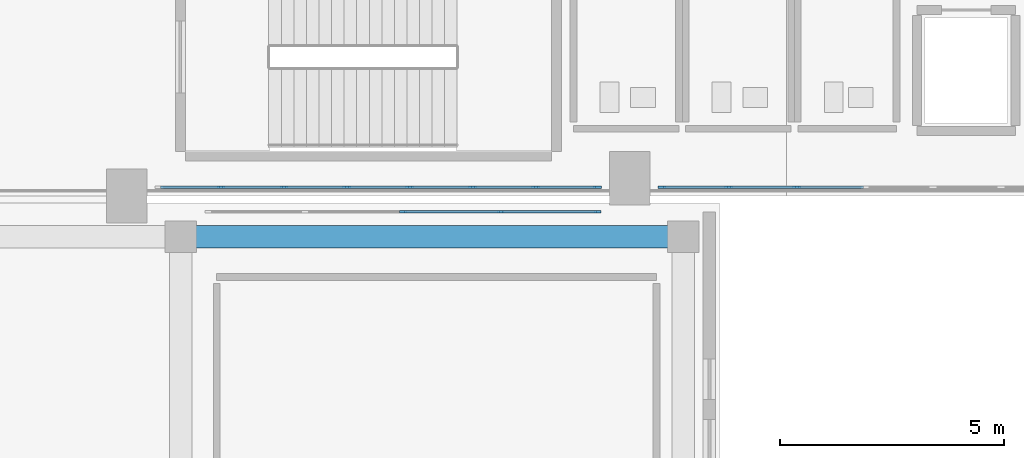
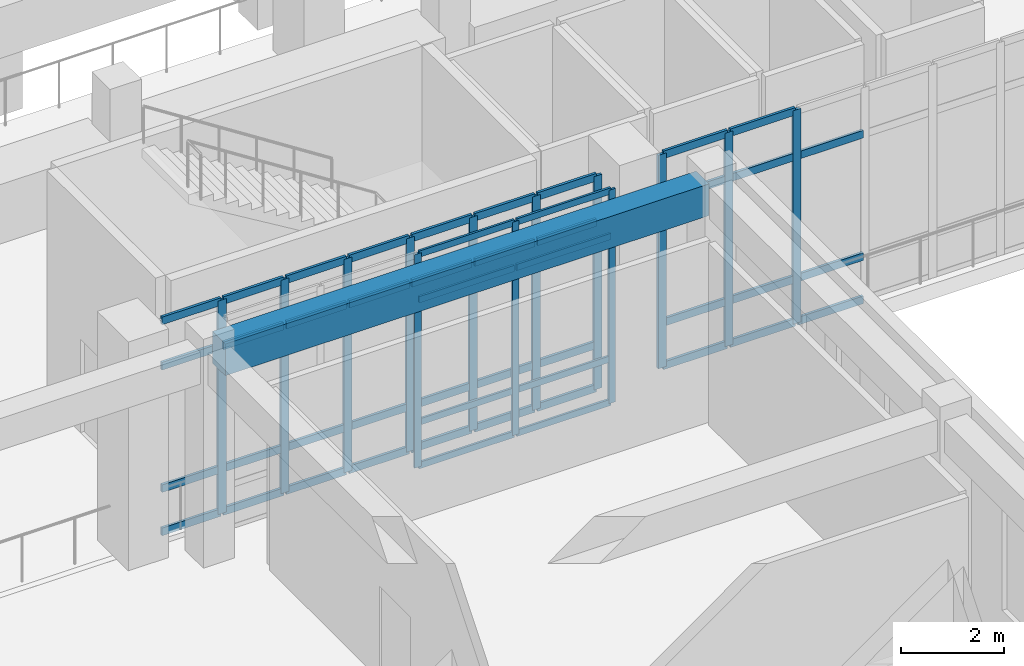
# One storey, part 24 of 159: 60 members, 1 beam, 3 elements without a shape of their own.
"""IFC4 building model written with IfcOpenShell, lengths in metres."""

from ifc_helpers import new_model, si_unit, derived_unit, direction, frame, origin, origin_2d, place, context, subcontext, project, spatial, rectangle, extrude, material, layer, layer_set, material_profile, profile_set, type_object, element, aggregate, save


model = new_model("IFC4")

# Units and contexts
model_context = context("Model", 3, precision=1e-05, world=origin(), true_north=direction((0.0, 1.0)))
body_context = subcontext(model_context, "Body", "Model", "MODEL_VIEW")
ifc_project = project(units=[si_unit("LENGTHUNIT", "METRE"), si_unit("AREAUNIT", "SQUARE_METRE"), si_unit("VOLUMEUNIT", "CUBIC_METRE"), si_unit("PLANEANGLEUNIT", "RADIAN"), si_unit("MASSUNIT", "GRAM", prefix="KILO"), derived_unit("THERMALTRANSMITTANCEUNIT", [(si_unit("MASSUNIT", "GRAM", prefix="KILO"), 1), (si_unit("TIMEUNIT", "SECOND"), -3), (si_unit("THERMODYNAMICTEMPERATUREUNIT", "KELVIN"), -1)])], contexts=[model_context])

# Site, building, storey
site_placement = place(None, origin())
site = spatial("IfcSite", under=ifc_project, at=site_placement, CompositionType="ELEMENT")
building_placement = place(site_placement, origin())
building = spatial("IfcBuilding", under=site, at=building_placement, Name="Valcora Ridge Arena", CompositionType="ELEMENT")
storey_placement = place(building_placement, frame((0.0, 0.0, 6.0)))
storey = spatial("IfcBuildingStorey", under=building, at=storey_placement, Name="L01", CompositionType="ELEMENT", Elevation=6.0)

# Beam
ifc_material_1 = material(Name="Concrete C40/50", Category="concrete")
ifc_material_profile_1 = material_profile(ifc_material_1, rectangle(XDim=0.5, YDim=0.75, at=origin_2d()), Name="RC 500x750")
ifc_profile_set_1 = profile_set([ifc_material_profile_1], Name="Concrete C40/50")
beam_type = type_object("IfcBeamType", Name="TY-BEAM-B-RC500-X", PredefinedType="BEAM", material=ifc_profile_set_1)
beam_placement = place(storey_placement, frame((48.199951171875, 19.10009765625, 4.6650390625), z_axis=(1.0, 0.0, 0.0), x_axis=(0.0, 1.0, 0.0)))
element("IfcBeam", 1, at=beam_placement, inside=storey, type_object=beam_type, Name="B-RC500-X BEM-B-RC500-X-0040", PredefinedType="BEAM", context=body_context, shape_type="SweptSolid", body=[
    extrude(rectangle(XDim=0.5, YDim=0.75, at=origin_2d()), origin(), (0.0, 0.0, 1.0), 10.800048828125),
])

# Curtain wall, members
ifc_material_2 = material(Name="Anodised dark bronze architectural aluminium 6063-T6", Category="aluminium")
ifc_layer_1 = layer(ifc_material_2, 0.14990234375, Name="Anodised dark bronze architectural aluminium 6063-T6")
ifc_layer_set_1 = layer_set([ifc_layer_1], Name="Anodised dark bronze architectural aluminium 6063-T6")
curtain_wall_type_1 = type_object("IfcCurtainWallType", Name="TY-CURTAINWALL-CW-V4-CLUB-087X50", PredefinedType="NOTDEFINED", material=ifc_layer_set_1)
curtain_wall_1_placement = place(storey_placement, origin())
curtain_wall_1 = element("IfcCurtainWall", 2, at=curtain_wall_1_placement, inside=storey, type_object=curtain_wall_type_1, Name="CW-V4-CLUB-087X50 CW-0221", PredefinedType="NOTDEFINED")
ifc_material_profile_2 = material_profile(ifc_material_2, rectangle(XDim=0.050048828125, YDim=0.14990234375, at=origin_2d()), Name="ALU MULLION 50x150")
ifc_profile_set_2 = profile_set([ifc_material_profile_2], Name="Anodised dark bronze architectural aluminium 6063-T6")
member_type_1 = type_object("IfcMemberType", Name="TY-MEM-CWM-50x150", PredefinedType="MULLION", material=ifc_profile_set_2)
member_1_placement = place(storey_placement, frame((52.949951171875, 19.64990234375, 0.0), z_axis=(0.0, 0.0, 1.0), x_axis=(0.0, 1.0, 0.0)))
member_1 = element("IfcMember", 3, at=member_1_placement, type_object=member_type_1, Name="CW-0221/CWM-50x150/M02", PredefinedType="MULLION", context=body_context, shape_type="SweptSolid", body=[
    extrude(rectangle(XDim=0.050048828125, YDim=0.14990234375, at=origin_2d()), origin(), (0.0, 0.0, 1.0), 5.0400390625),
])
member_2_placement = place(storey_placement, frame((55.1298828125, 19.64990234375, 0.0), z_axis=(0.0, 0.0, 1.0), x_axis=(0.0, 1.0, 0.0)))
member_2 = element("IfcMember", 4, at=member_2_placement, type_object=member_type_1, Name="CW-0221/CWM-50x150/M03", PredefinedType="MULLION", context=body_context, shape_type="SweptSolid", body=[
    extrude(rectangle(XDim=0.050048828125, YDim=0.14990234375, at=origin_2d()), origin(), (0.0, 0.0, 1.0), 5.0400390625),
])
member_3_placement = place(storey_placement, frame((57.284912109375, 19.64990234375, 0.0), z_axis=(0.0, 0.0, 1.0), x_axis=(0.0, 1.0, 0.0)))
member_3 = element("IfcMember", 5, at=member_3_placement, type_object=member_type_1, Name="CW-0221/CWM-50x150/M04", PredefinedType="MULLION", context=body_context, shape_type="SweptSolid", body=[
    extrude(rectangle(XDim=0.050048828125, YDim=0.14990234375, at=origin_2d()), origin(), (0.0, 0.0, 1.0), 5.0400390625),
])

ifc_layer_2 = layer(ifc_material_2, 0.179931640625, Name="Anodised dark bronze architectural aluminium 6063-T6")
ifc_layer_set_2 = layer_set([ifc_layer_2], Name="Anodised dark bronze architectural aluminium 6063-T6")
curtain_wall_type_2 = type_object("IfcCurtainWallType", Name="TY-CURTAINWALL-CW-V1-GOTH-098X50", PredefinedType="NOTDEFINED", material=ifc_layer_set_2)
curtain_wall_2_placement = place(storey_placement, origin())
curtain_wall_2 = element("IfcCurtainWall", 6, at=curtain_wall_2_placement, inside=storey, type_object=curtain_wall_type_2, Name="CW-V1-GOTH-098X50 CW-0098", PredefinedType="NOTDEFINED")
ifc_material_profile_3 = material_profile(ifc_material_2, rectangle(XDim=0.06005859375, YDim=0.179931640625, at=origin_2d()), Name="ALU MULLION 60x180")
ifc_profile_set_3 = profile_set([ifc_material_profile_3], Name="Anodised dark bronze architectural aluminium 6063-T6")
member_type_2 = type_object("IfcMemberType", Name="TY-MEM-CWM-60x180", PredefinedType="MULLION", material=ifc_profile_set_3)
member_4_placement = place(storey_placement, frame((48.892822265625, 20.199951171875, 0.0), z_axis=(0.0, 0.0, 1.0), x_axis=(0.0, 1.0, 0.0)))
member_4 = element("IfcMember", 7, at=member_4_placement, type_object=member_type_2, Name="CW-0098/CWM-60x180/M01", PredefinedType="MULLION", context=body_context, shape_type="SweptSolid", body=[
    extrude(rectangle(XDim=0.06005859375, YDim=0.179931640625, at=origin_2d()), origin(), (0.0, 0.0, 1.0), 5.0400390625),
])
member_5_placement = place(storey_placement, frame((50.295654296875, 20.199951171875, 0.0), z_axis=(0.0, 0.0, 1.0), x_axis=(0.0, 1.0, 0.0)))
member_5 = element("IfcMember", 8, at=member_5_placement, type_object=member_type_2, Name="CW-0098/CWM-60x180/M02", PredefinedType="MULLION", context=body_context, shape_type="SweptSolid", body=[
    extrude(rectangle(XDim=0.06005859375, YDim=0.179931640625, at=origin_2d()), origin(), (0.0, 0.0, 1.0), 5.0400390625),
])
member_6_placement = place(storey_placement, frame((51.698486328125, 20.199951171875, 0.0), z_axis=(0.0, 0.0, 1.0), x_axis=(0.0, 1.0, 0.0)))
member_6 = element("IfcMember", 9, at=member_6_placement, type_object=member_type_2, Name="CW-0098/CWM-60x180/M03", PredefinedType="MULLION", context=body_context, shape_type="SweptSolid", body=[
    extrude(rectangle(XDim=0.06005859375, YDim=0.179931640625, at=origin_2d()), origin(), (0.0, 0.0, 1.0), 5.0400390625),
])
member_7_placement = place(storey_placement, frame((53.101318359375, 20.199951171875, 0.0), z_axis=(0.0, 0.0, 1.0), x_axis=(0.0, 1.0, 0.0)))
member_7 = element("IfcMember", 10, at=member_7_placement, type_object=member_type_2, Name="CW-0098/CWM-60x180/M04", PredefinedType="MULLION", context=body_context, shape_type="SweptSolid", body=[
    extrude(rectangle(XDim=0.06005859375, YDim=0.179931640625, at=origin_2d()), origin(), (0.0, 0.0, 1.0), 5.0400390625),
])
member_8_placement = place(storey_placement, frame((54.50439453125, 20.199951171875, 0.0), z_axis=(0.0, 0.0, 1.0), x_axis=(0.0, 1.0, 0.0)))
member_8 = element("IfcMember", 11, at=member_8_placement, type_object=member_type_2, Name="CW-0098/CWM-60x180/M05", PredefinedType="MULLION", context=body_context, shape_type="SweptSolid", body=[
    extrude(rectangle(XDim=0.06005859375, YDim=0.179931640625, at=origin_2d()), origin(), (0.0, 0.0, 1.0), 5.0400390625),
])
member_9_placement = place(storey_placement, frame((55.906982421875, 20.199951171875, 0.0), z_axis=(0.0, 0.0, 1.0), x_axis=(0.0, 1.0, 0.0)))
member_9 = element("IfcMember", 12, at=member_9_placement, type_object=member_type_2, Name="CW-0098/CWM-60x180/M06", PredefinedType="MULLION", context=body_context, shape_type="SweptSolid", body=[
    extrude(rectangle(XDim=0.06005859375, YDim=0.179931640625, at=origin_2d()), origin(), (0.0, 0.0, 1.0), 5.0400390625),
])
member_10_placement = place(storey_placement, frame((57.280029296875, 20.199951171875, 0.0), z_axis=(0.0, 0.0, 1.0), x_axis=(0.0, 1.0, 0.0)))
member_10 = element("IfcMember", 13, at=member_10_placement, type_object=member_type_2, Name="CW-0098/CWM-60x180/M07", PredefinedType="MULLION", context=body_context, shape_type="SweptSolid", body=[
    extrude(rectangle(XDim=0.06005859375, YDim=0.179931640625, at=origin_2d()), origin(), (0.0, 0.0, 1.0), 5.0400390625),
])

ifc_layer_3 = layer(ifc_material_2, 0.179931640625, Name="Anodised dark bronze architectural aluminium 6063-T6")
ifc_layer_set_3 = layer_set([ifc_layer_3], Name="Anodised dark bronze architectural aluminium 6063-T6")
curtain_wall_type_3 = type_object("IfcCurtainWallType", Name="TY-CURTAINWALL-CW-V1-GOTH-106X50", PredefinedType="NOTDEFINED", material=ifc_layer_set_3)
curtain_wall_3_placement = place(storey_placement, origin())
curtain_wall_3 = element("IfcCurtainWall", 14, at=curtain_wall_3_placement, inside=storey, type_object=curtain_wall_type_3, Name="CW-V1-GOTH-106X50 CW-0099", PredefinedType="NOTDEFINED")
member_11_placement = place(storey_placement, frame((58.719970703125, 20.199951171875, 0.0), z_axis=(0.0, 0.0, 1.0), x_axis=(0.0, 1.0, 0.0)))
member_11 = element("IfcMember", 15, at=member_11_placement, type_object=member_type_2, Name="CW-0099/CWM-60x180/M00", PredefinedType="MULLION", context=body_context, shape_type="SweptSolid", body=[
    extrude(rectangle(XDim=0.06005859375, YDim=0.179931640625, at=origin_2d()), origin(), (0.0, 0.0, 1.0), 5.0400390625),
])
member_12_placement = place(storey_placement, frame((60.20703125, 20.199951171875, 0.0), z_axis=(0.0, 0.0, 1.0), x_axis=(0.0, 1.0, 0.0)))
member_12 = element("IfcMember", 16, at=member_12_placement, type_object=member_type_2, Name="CW-0099/CWM-60x180/M01", PredefinedType="MULLION", context=body_context, shape_type="SweptSolid", body=[
    extrude(rectangle(XDim=0.06005859375, YDim=0.179931640625, at=origin_2d()), origin(), (0.0, 0.0, 1.0), 5.0400390625),
])
member_13_placement = place(storey_placement, frame((61.724365234375, 20.199951171875, 0.0), z_axis=(0.0, 0.0, 1.0), x_axis=(0.0, 1.0, 0.0)))
member_13 = element("IfcMember", 17, at=member_13_placement, type_object=member_type_2, Name="CW-0099/CWM-60x180/M02", PredefinedType="MULLION", context=body_context, shape_type="SweptSolid", body=[
    extrude(rectangle(XDim=0.06005859375, YDim=0.179931640625, at=origin_2d()), origin(), (0.0, 0.0, 1.0), 5.0400390625),
])

# Member
ifc_material_profile_4 = material_profile(ifc_material_2, rectangle(XDim=0.050048828125, YDim=0.14990234375, at=origin_2d()), Name="ALU TRANSOM 50x150")
ifc_profile_set_4 = profile_set([ifc_material_profile_4], Name="Anodised dark bronze architectural aluminium 6063-T6")
member_type_3 = type_object("IfcMemberType", Name="TY-MEM-CWT-50x150", PredefinedType="USERDEFINED", material=ifc_profile_set_4)
member_14_placement = place(storey_placement, frame((52.97509765625, 19.64990234375, 0.02490234375), z_axis=(1.0, 0.0, 0.0), x_axis=(0.0, 1.0, 0.0)))
member_14 = element("IfcMember", 18, at=member_14_placement, type_object=member_type_3, Name="CW-0221/CWT-50x150/T02-00", ObjectType="TRANSOM", PredefinedType="USERDEFINED", context=body_context, shape_type="SweptSolid", body=[
    extrude(rectangle(XDim=0.050048828125, YDim=0.14990234375, at=origin_2d()), origin(), (0.0, 0.0, 1.0), 2.1298828125),
])

member_15_placement = place(storey_placement, frame((52.97509765625, 19.64990234375, 1.050048828125), z_axis=(1.0, 0.0, 0.0), x_axis=(0.0, 1.0, 0.0)))
member_15 = element("IfcMember", 19, at=member_15_placement, type_object=member_type_3, Name="CW-0221/CWT-50x150/T02-01", ObjectType="TRANSOM", PredefinedType="USERDEFINED", context=body_context, shape_type="SweptSolid", body=[
    extrude(rectangle(XDim=0.050048828125, YDim=0.14990234375, at=origin_2d()), origin(), (0.0, 0.0, 1.0), 2.1298828125),
])

member_16_placement = place(storey_placement, frame((52.97509765625, 19.64990234375, 3.93994140625), z_axis=(1.0, 0.0, 0.0), x_axis=(0.0, 1.0, 0.0)))
member_16 = element("IfcMember", 20, at=member_16_placement, type_object=member_type_3, Name="CW-0221/CWT-50x150/T02-02", ObjectType="TRANSOM", PredefinedType="USERDEFINED", context=body_context, shape_type="SweptSolid", body=[
    extrude(rectangle(XDim=0.050048828125, YDim=0.14990234375, at=origin_2d()), origin(), (0.0, 0.0, 1.0), 2.1298828125),
])

member_17_placement = place(storey_placement, frame((52.97509765625, 19.64990234375, 5.014892578125), z_axis=(1.0, 0.0, 0.0), x_axis=(0.0, 1.0, 0.0)))
member_17 = element("IfcMember", 21, at=member_17_placement, type_object=member_type_3, Name="CW-0221/CWT-50x150/T02-03", ObjectType="TRANSOM", PredefinedType="USERDEFINED", context=body_context, shape_type="SweptSolid", body=[
    extrude(rectangle(XDim=0.050048828125, YDim=0.14990234375, at=origin_2d()), origin(), (0.0, 0.0, 1.0), 2.1298828125),
])

member_18_placement = place(storey_placement, frame((55.155029296875, 19.64990234375, 0.02490234375), z_axis=(1.0, 0.0, 0.0), x_axis=(0.0, 1.0, 0.0)))
member_18 = element("IfcMember", 22, at=member_18_placement, type_object=member_type_3, Name="CW-0221/CWT-50x150/T03-00", ObjectType="TRANSOM", PredefinedType="USERDEFINED", context=body_context, shape_type="SweptSolid", body=[
    extrude(rectangle(XDim=0.050048828125, YDim=0.14990234375, at=origin_2d()), origin(), (0.0, 0.0, 1.0), 2.10498046875),
])

member_19_placement = place(storey_placement, frame((55.155029296875, 19.64990234375, 1.050048828125), z_axis=(1.0, 0.0, 0.0), x_axis=(0.0, 1.0, 0.0)))
member_19 = element("IfcMember", 23, at=member_19_placement, type_object=member_type_3, Name="CW-0221/CWT-50x150/T03-01", ObjectType="TRANSOM", PredefinedType="USERDEFINED", context=body_context, shape_type="SweptSolid", body=[
    extrude(rectangle(XDim=0.050048828125, YDim=0.14990234375, at=origin_2d()), origin(), (0.0, 0.0, 1.0), 2.10498046875),
])

member_20_placement = place(storey_placement, frame((55.155029296875, 19.64990234375, 3.93994140625), z_axis=(1.0, 0.0, 0.0), x_axis=(0.0, 1.0, 0.0)))
member_20 = element("IfcMember", 24, at=member_20_placement, type_object=member_type_3, Name="CW-0221/CWT-50x150/T03-02", ObjectType="TRANSOM", PredefinedType="USERDEFINED", context=body_context, shape_type="SweptSolid", body=[
    extrude(rectangle(XDim=0.050048828125, YDim=0.14990234375, at=origin_2d()), origin(), (0.0, 0.0, 1.0), 2.10498046875),
])

member_21_placement = place(storey_placement, frame((55.155029296875, 19.64990234375, 5.014892578125), z_axis=(1.0, 0.0, 0.0), x_axis=(0.0, 1.0, 0.0)))
member_21 = element("IfcMember", 25, at=member_21_placement, type_object=member_type_3, Name="CW-0221/CWT-50x150/T03-03", ObjectType="TRANSOM", PredefinedType="USERDEFINED", context=body_context, shape_type="SweptSolid", body=[
    extrude(rectangle(XDim=0.050048828125, YDim=0.14990234375, at=origin_2d()), origin(), (0.0, 0.0, 1.0), 2.10498046875),
])

aggregate(curtain_wall_1, [member_1, member_2, member_3, member_14, member_15, member_16, member_17, member_18, member_19, member_20, member_21])

ifc_material_profile_5 = material_profile(ifc_material_2, rectangle(XDim=0.06005859375, YDim=0.179931640625, at=origin_2d()), Name="ALU TRANSOM 60x180")
ifc_profile_set_5 = profile_set([ifc_material_profile_5], Name="Anodised dark bronze architectural aluminium 6063-T6")
member_type_4 = type_object("IfcMemberType", Name="TY-MEM-CWT-60x180", PredefinedType="USERDEFINED", material=ifc_profile_set_5)
member_22_placement = place(storey_placement, frame((47.550048828125, 20.199951171875, 0.030029296875), z_axis=(1.0, 0.0, 0.0), x_axis=(0.0, 1.0, 0.0)))
member_22 = element("IfcMember", 26, at=member_22_placement, type_object=member_type_4, Name="CW-0098/CWT-60x180/T00-00", ObjectType="TRANSOM", PredefinedType="USERDEFINED", context=body_context, shape_type="SweptSolid", body=[
    extrude(rectangle(XDim=0.06005859375, YDim=0.179931640625, at=origin_2d()), origin(), (0.0, 0.0, 1.0), 1.31298828125),
])

member_23_placement = place(storey_placement, frame((47.550048828125, 20.199951171875, 1.050048828125), z_axis=(1.0, 0.0, 0.0), x_axis=(0.0, 1.0, 0.0)))
member_23 = element("IfcMember", 27, at=member_23_placement, type_object=member_type_4, Name="CW-0098/CWT-60x180/T00-01", ObjectType="TRANSOM", PredefinedType="USERDEFINED", context=body_context, shape_type="SweptSolid", body=[
    extrude(rectangle(XDim=0.06005859375, YDim=0.179931640625, at=origin_2d()), origin(), (0.0, 0.0, 1.0), 1.31298828125),
])

member_24_placement = place(storey_placement, frame((47.550048828125, 20.199951171875, 3.93994140625), z_axis=(1.0, 0.0, 0.0), x_axis=(0.0, 1.0, 0.0)))
member_24 = element("IfcMember", 28, at=member_24_placement, type_object=member_type_4, Name="CW-0098/CWT-60x180/T00-02", ObjectType="TRANSOM", PredefinedType="USERDEFINED", context=body_context, shape_type="SweptSolid", body=[
    extrude(rectangle(XDim=0.06005859375, YDim=0.179931640625, at=origin_2d()), origin(), (0.0, 0.0, 1.0), 1.31298828125),
])

member_25_placement = place(storey_placement, frame((47.550048828125, 20.199951171875, 5.010009765625), z_axis=(1.0, 0.0, 0.0), x_axis=(0.0, 1.0, 0.0)))
member_25 = element("IfcMember", 29, at=member_25_placement, type_object=member_type_4, Name="CW-0098/CWT-60x180/T00-03", ObjectType="TRANSOM", PredefinedType="USERDEFINED", context=body_context, shape_type="SweptSolid", body=[
    extrude(rectangle(XDim=0.06005859375, YDim=0.179931640625, at=origin_2d()), origin(), (0.0, 0.0, 1.0), 1.31298828125),
])

member_26_placement = place(storey_placement, frame((48.923095703125, 20.199951171875, 0.030029296875), z_axis=(1.0, 0.0, 0.0), x_axis=(0.0, 1.0, 0.0)))
member_26 = element("IfcMember", 30, at=member_26_placement, type_object=member_type_4, Name="CW-0098/CWT-60x180/T01-00", ObjectType="TRANSOM", PredefinedType="USERDEFINED", context=body_context, shape_type="SweptSolid", body=[
    extrude(rectangle(XDim=0.06005859375, YDim=0.179931640625, at=origin_2d()), origin(), (0.0, 0.0, 1.0), 1.343017578125),
])

member_27_placement = place(storey_placement, frame((48.923095703125, 20.199951171875, 1.050048828125), z_axis=(1.0, 0.0, 0.0), x_axis=(0.0, 1.0, 0.0)))
member_27 = element("IfcMember", 31, at=member_27_placement, type_object=member_type_4, Name="CW-0098/CWT-60x180/T01-01", ObjectType="TRANSOM", PredefinedType="USERDEFINED", context=body_context, shape_type="SweptSolid", body=[
    extrude(rectangle(XDim=0.06005859375, YDim=0.179931640625, at=origin_2d()), origin(), (0.0, 0.0, 1.0), 1.343017578125),
])

member_28_placement = place(storey_placement, frame((48.923095703125, 20.199951171875, 3.93994140625), z_axis=(1.0, 0.0, 0.0), x_axis=(0.0, 1.0, 0.0)))
member_28 = element("IfcMember", 32, at=member_28_placement, type_object=member_type_4, Name="CW-0098/CWT-60x180/T01-02", ObjectType="TRANSOM", PredefinedType="USERDEFINED", context=body_context, shape_type="SweptSolid", body=[
    extrude(rectangle(XDim=0.06005859375, YDim=0.179931640625, at=origin_2d()), origin(), (0.0, 0.0, 1.0), 1.343017578125),
])

member_29_placement = place(storey_placement, frame((48.923095703125, 20.199951171875, 5.010009765625), z_axis=(1.0, 0.0, 0.0), x_axis=(0.0, 1.0, 0.0)))
member_29 = element("IfcMember", 33, at=member_29_placement, type_object=member_type_4, Name="CW-0098/CWT-60x180/T01-03", ObjectType="TRANSOM", PredefinedType="USERDEFINED", context=body_context, shape_type="SweptSolid", body=[
    extrude(rectangle(XDim=0.06005859375, YDim=0.179931640625, at=origin_2d()), origin(), (0.0, 0.0, 1.0), 1.343017578125),
])

member_30_placement = place(storey_placement, frame((50.325927734375, 20.199951171875, 0.030029296875), z_axis=(1.0, 0.0, 0.0), x_axis=(0.0, 1.0, 0.0)))
member_30 = element("IfcMember", 34, at=member_30_placement, type_object=member_type_4, Name="CW-0098/CWT-60x180/T02-00", ObjectType="TRANSOM", PredefinedType="USERDEFINED", context=body_context, shape_type="SweptSolid", body=[
    extrude(rectangle(XDim=0.06005859375, YDim=0.179931640625, at=origin_2d()), origin(), (0.0, 0.0, 1.0), 1.343017578125),
])

member_31_placement = place(storey_placement, frame((50.325927734375, 20.199951171875, 1.050048828125), z_axis=(1.0, 0.0, 0.0), x_axis=(0.0, 1.0, 0.0)))
member_31 = element("IfcMember", 35, at=member_31_placement, type_object=member_type_4, Name="CW-0098/CWT-60x180/T02-01", ObjectType="TRANSOM", PredefinedType="USERDEFINED", context=body_context, shape_type="SweptSolid", body=[
    extrude(rectangle(XDim=0.06005859375, YDim=0.179931640625, at=origin_2d()), origin(), (0.0, 0.0, 1.0), 1.343017578125),
])

member_32_placement = place(storey_placement, frame((50.325927734375, 20.199951171875, 3.93994140625), z_axis=(1.0, 0.0, 0.0), x_axis=(0.0, 1.0, 0.0)))
member_32 = element("IfcMember", 36, at=member_32_placement, type_object=member_type_4, Name="CW-0098/CWT-60x180/T02-02", ObjectType="TRANSOM", PredefinedType="USERDEFINED", context=body_context, shape_type="SweptSolid", body=[
    extrude(rectangle(XDim=0.06005859375, YDim=0.179931640625, at=origin_2d()), origin(), (0.0, 0.0, 1.0), 1.343017578125),
])

member_33_placement = place(storey_placement, frame((50.325927734375, 20.199951171875, 5.010009765625), z_axis=(1.0, 0.0, 0.0), x_axis=(0.0, 1.0, 0.0)))
member_33 = element("IfcMember", 37, at=member_33_placement, type_object=member_type_4, Name="CW-0098/CWT-60x180/T02-03", ObjectType="TRANSOM", PredefinedType="USERDEFINED", context=body_context, shape_type="SweptSolid", body=[
    extrude(rectangle(XDim=0.06005859375, YDim=0.179931640625, at=origin_2d()), origin(), (0.0, 0.0, 1.0), 1.343017578125),
])

member_34_placement = place(storey_placement, frame((51.72900390625, 20.199951171875, 0.030029296875), z_axis=(1.0, 0.0, 0.0), x_axis=(0.0, 1.0, 0.0)))
member_34 = element("IfcMember", 38, at=member_34_placement, type_object=member_type_4, Name="CW-0098/CWT-60x180/T03-00", ObjectType="TRANSOM", PredefinedType="USERDEFINED", context=body_context, shape_type="SweptSolid", body=[
    extrude(rectangle(XDim=0.06005859375, YDim=0.179931640625, at=origin_2d()), origin(), (0.0, 0.0, 1.0), 1.342041015625),
])

member_35_placement = place(storey_placement, frame((51.72900390625, 20.199951171875, 1.050048828125), z_axis=(1.0, 0.0, 0.0), x_axis=(0.0, 1.0, 0.0)))
member_35 = element("IfcMember", 39, at=member_35_placement, type_object=member_type_4, Name="CW-0098/CWT-60x180/T03-01", ObjectType="TRANSOM", PredefinedType="USERDEFINED", context=body_context, shape_type="SweptSolid", body=[
    extrude(rectangle(XDim=0.06005859375, YDim=0.179931640625, at=origin_2d()), origin(), (0.0, 0.0, 1.0), 1.342041015625),
])

member_36_placement = place(storey_placement, frame((51.72900390625, 20.199951171875, 3.93994140625), z_axis=(1.0, 0.0, 0.0), x_axis=(0.0, 1.0, 0.0)))
member_36 = element("IfcMember", 40, at=member_36_placement, type_object=member_type_4, Name="CW-0098/CWT-60x180/T03-02", ObjectType="TRANSOM", PredefinedType="USERDEFINED", context=body_context, shape_type="SweptSolid", body=[
    extrude(rectangle(XDim=0.06005859375, YDim=0.179931640625, at=origin_2d()), origin(), (0.0, 0.0, 1.0), 1.342041015625),
])

member_37_placement = place(storey_placement, frame((51.72900390625, 20.199951171875, 5.010009765625), z_axis=(1.0, 0.0, 0.0), x_axis=(0.0, 1.0, 0.0)))
member_37 = element("IfcMember", 41, at=member_37_placement, type_object=member_type_4, Name="CW-0098/CWT-60x180/T03-03", ObjectType="TRANSOM", PredefinedType="USERDEFINED", context=body_context, shape_type="SweptSolid", body=[
    extrude(rectangle(XDim=0.06005859375, YDim=0.179931640625, at=origin_2d()), origin(), (0.0, 0.0, 1.0), 1.342041015625),
])

member_38_placement = place(storey_placement, frame((53.131103515625, 20.199951171875, 0.030029296875), z_axis=(1.0, 0.0, 0.0), x_axis=(0.0, 1.0, 0.0)))
member_38 = element("IfcMember", 42, at=member_38_placement, type_object=member_type_4, Name="CW-0098/CWT-60x180/T04-00", ObjectType="TRANSOM", PredefinedType="USERDEFINED", context=body_context, shape_type="SweptSolid", body=[
    extrude(rectangle(XDim=0.06005859375, YDim=0.179931640625, at=origin_2d()), origin(), (0.0, 0.0, 1.0), 1.343017578125),
])

member_39_placement = place(storey_placement, frame((53.131103515625, 20.199951171875, 1.050048828125), z_axis=(1.0, 0.0, 0.0), x_axis=(0.0, 1.0, 0.0)))
member_39 = element("IfcMember", 43, at=member_39_placement, type_object=member_type_4, Name="CW-0098/CWT-60x180/T04-01", ObjectType="TRANSOM", PredefinedType="USERDEFINED", context=body_context, shape_type="SweptSolid", body=[
    extrude(rectangle(XDim=0.06005859375, YDim=0.179931640625, at=origin_2d()), origin(), (0.0, 0.0, 1.0), 1.343017578125),
])

member_40_placement = place(storey_placement, frame((53.131103515625, 20.199951171875, 3.93994140625), z_axis=(1.0, 0.0, 0.0), x_axis=(0.0, 1.0, 0.0)))
member_40 = element("IfcMember", 44, at=member_40_placement, type_object=member_type_4, Name="CW-0098/CWT-60x180/T04-02", ObjectType="TRANSOM", PredefinedType="USERDEFINED", context=body_context, shape_type="SweptSolid", body=[
    extrude(rectangle(XDim=0.06005859375, YDim=0.179931640625, at=origin_2d()), origin(), (0.0, 0.0, 1.0), 1.343017578125),
])

member_41_placement = place(storey_placement, frame((53.131103515625, 20.199951171875, 5.010009765625), z_axis=(1.0, 0.0, 0.0), x_axis=(0.0, 1.0, 0.0)))
member_41 = element("IfcMember", 45, at=member_41_placement, type_object=member_type_4, Name="CW-0098/CWT-60x180/T04-03", ObjectType="TRANSOM", PredefinedType="USERDEFINED", context=body_context, shape_type="SweptSolid", body=[
    extrude(rectangle(XDim=0.06005859375, YDim=0.179931640625, at=origin_2d()), origin(), (0.0, 0.0, 1.0), 1.343017578125),
])

member_42_placement = place(storey_placement, frame((54.533935546875, 20.199951171875, 0.030029296875), z_axis=(1.0, 0.0, 0.0), x_axis=(0.0, 1.0, 0.0)))
member_42 = element("IfcMember", 46, at=member_42_placement, type_object=member_type_4, Name="CW-0098/CWT-60x180/T05-00", ObjectType="TRANSOM", PredefinedType="USERDEFINED", context=body_context, shape_type="SweptSolid", body=[
    extrude(rectangle(XDim=0.06005859375, YDim=0.179931640625, at=origin_2d()), origin(), (0.0, 0.0, 1.0), 1.343017578125),
])

member_43_placement = place(storey_placement, frame((54.533935546875, 20.199951171875, 1.050048828125), z_axis=(1.0, 0.0, 0.0), x_axis=(0.0, 1.0, 0.0)))
member_43 = element("IfcMember", 47, at=member_43_placement, type_object=member_type_4, Name="CW-0098/CWT-60x180/T05-01", ObjectType="TRANSOM", PredefinedType="USERDEFINED", context=body_context, shape_type="SweptSolid", body=[
    extrude(rectangle(XDim=0.06005859375, YDim=0.179931640625, at=origin_2d()), origin(), (0.0, 0.0, 1.0), 1.343017578125),
])

member_44_placement = place(storey_placement, frame((54.533935546875, 20.199951171875, 3.93994140625), z_axis=(1.0, 0.0, 0.0), x_axis=(0.0, 1.0, 0.0)))
member_44 = element("IfcMember", 48, at=member_44_placement, type_object=member_type_4, Name="CW-0098/CWT-60x180/T05-02", ObjectType="TRANSOM", PredefinedType="USERDEFINED", context=body_context, shape_type="SweptSolid", body=[
    extrude(rectangle(XDim=0.06005859375, YDim=0.179931640625, at=origin_2d()), origin(), (0.0, 0.0, 1.0), 1.343017578125),
])

member_45_placement = place(storey_placement, frame((54.533935546875, 20.199951171875, 5.010009765625), z_axis=(1.0, 0.0, 0.0), x_axis=(0.0, 1.0, 0.0)))
member_45 = element("IfcMember", 49, at=member_45_placement, type_object=member_type_4, Name="CW-0098/CWT-60x180/T05-03", ObjectType="TRANSOM", PredefinedType="USERDEFINED", context=body_context, shape_type="SweptSolid", body=[
    extrude(rectangle(XDim=0.06005859375, YDim=0.179931640625, at=origin_2d()), origin(), (0.0, 0.0, 1.0), 1.343017578125),
])

member_46_placement = place(storey_placement, frame((55.93701171875, 20.199951171875, 0.030029296875), z_axis=(1.0, 0.0, 0.0), x_axis=(0.0, 1.0, 0.0)))
member_46 = element("IfcMember", 50, at=member_46_placement, type_object=member_type_4, Name="CW-0098/CWT-60x180/T06-00", ObjectType="TRANSOM", PredefinedType="USERDEFINED", context=body_context, shape_type="SweptSolid", body=[
    extrude(rectangle(XDim=0.06005859375, YDim=0.179931640625, at=origin_2d()), origin(), (0.0, 0.0, 1.0), 1.31298828125),
])

member_47_placement = place(storey_placement, frame((55.93701171875, 20.199951171875, 1.050048828125), z_axis=(1.0, 0.0, 0.0), x_axis=(0.0, 1.0, 0.0)))
member_47 = element("IfcMember", 51, at=member_47_placement, type_object=member_type_4, Name="CW-0098/CWT-60x180/T06-01", ObjectType="TRANSOM", PredefinedType="USERDEFINED", context=body_context, shape_type="SweptSolid", body=[
    extrude(rectangle(XDim=0.06005859375, YDim=0.179931640625, at=origin_2d()), origin(), (0.0, 0.0, 1.0), 1.31298828125),
])

member_48_placement = place(storey_placement, frame((55.93701171875, 20.199951171875, 3.93994140625), z_axis=(1.0, 0.0, 0.0), x_axis=(0.0, 1.0, 0.0)))
member_48 = element("IfcMember", 52, at=member_48_placement, type_object=member_type_4, Name="CW-0098/CWT-60x180/T06-02", ObjectType="TRANSOM", PredefinedType="USERDEFINED", context=body_context, shape_type="SweptSolid", body=[
    extrude(rectangle(XDim=0.06005859375, YDim=0.179931640625, at=origin_2d()), origin(), (0.0, 0.0, 1.0), 1.31298828125),
])

member_49_placement = place(storey_placement, frame((55.93701171875, 20.199951171875, 5.010009765625), z_axis=(1.0, 0.0, 0.0), x_axis=(0.0, 1.0, 0.0)))
member_49 = element("IfcMember", 53, at=member_49_placement, type_object=member_type_4, Name="CW-0098/CWT-60x180/T06-03", ObjectType="TRANSOM", PredefinedType="USERDEFINED", context=body_context, shape_type="SweptSolid", body=[
    extrude(rectangle(XDim=0.06005859375, YDim=0.179931640625, at=origin_2d()), origin(), (0.0, 0.0, 1.0), 1.31298828125),
])

aggregate(curtain_wall_2, [member_4, member_5, member_6, member_7, member_8, member_9, member_10, member_22, member_23, member_24, member_25, member_26, member_27, member_28, member_29, member_30, member_31, member_32, member_33, member_34, member_35, member_36, member_37, member_38, member_39, member_40, member_41, member_42, member_43, member_44, member_45, member_46, member_47, member_48, member_49])

member_50_placement = place(storey_placement, frame((58.75, 20.199951171875, 0.030029296875), z_axis=(1.0, 0.0, 0.0), x_axis=(0.0, 1.0, 0.0)))
member_50 = element("IfcMember", 54, at=member_50_placement, type_object=member_type_4, Name="CW-0099/CWT-60x180/T00-00", ObjectType="TRANSOM", PredefinedType="USERDEFINED", context=body_context, shape_type="SweptSolid", body=[
    extrude(rectangle(XDim=0.06005859375, YDim=0.179931640625, at=origin_2d()), origin(), (0.0, 0.0, 1.0), 1.427001953125),
])

member_51_placement = place(storey_placement, frame((58.75, 20.199951171875, 1.050048828125), z_axis=(1.0, 0.0, 0.0), x_axis=(0.0, 1.0, 0.0)))
member_51 = element("IfcMember", 55, at=member_51_placement, type_object=member_type_4, Name="CW-0099/CWT-60x180/T00-01", ObjectType="TRANSOM", PredefinedType="USERDEFINED", context=body_context, shape_type="SweptSolid", body=[
    extrude(rectangle(XDim=0.06005859375, YDim=0.179931640625, at=origin_2d()), origin(), (0.0, 0.0, 1.0), 1.427001953125),
])

member_52_placement = place(storey_placement, frame((58.75, 20.199951171875, 3.93994140625), z_axis=(1.0, 0.0, 0.0), x_axis=(0.0, 1.0, 0.0)))
member_52 = element("IfcMember", 56, at=member_52_placement, type_object=member_type_4, Name="CW-0099/CWT-60x180/T00-02", ObjectType="TRANSOM", PredefinedType="USERDEFINED", context=body_context, shape_type="SweptSolid", body=[
    extrude(rectangle(XDim=0.06005859375, YDim=0.179931640625, at=origin_2d()), origin(), (0.0, 0.0, 1.0), 1.427001953125),
])

member_53_placement = place(storey_placement, frame((58.75, 20.199951171875, 5.010009765625), z_axis=(1.0, 0.0, 0.0), x_axis=(0.0, 1.0, 0.0)))
member_53 = element("IfcMember", 57, at=member_53_placement, type_object=member_type_4, Name="CW-0099/CWT-60x180/T00-03", ObjectType="TRANSOM", PredefinedType="USERDEFINED", context=body_context, shape_type="SweptSolid", body=[
    extrude(rectangle(XDim=0.06005859375, YDim=0.179931640625, at=origin_2d()), origin(), (0.0, 0.0, 1.0), 1.427001953125),
])

member_54_placement = place(storey_placement, frame((60.237060546875, 20.199951171875, 0.030029296875), z_axis=(1.0, 0.0, 0.0), x_axis=(0.0, 1.0, 0.0)))
member_54 = element("IfcMember", 58, at=member_54_placement, type_object=member_type_4, Name="CW-0099/CWT-60x180/T01-00", ObjectType="TRANSOM", PredefinedType="USERDEFINED", context=body_context, shape_type="SweptSolid", body=[
    extrude(rectangle(XDim=0.06005859375, YDim=0.179931640625, at=origin_2d()), origin(), (0.0, 0.0, 1.0), 1.45703125),
])

member_55_placement = place(storey_placement, frame((60.237060546875, 20.199951171875, 1.050048828125), z_axis=(1.0, 0.0, 0.0), x_axis=(0.0, 1.0, 0.0)))
member_55 = element("IfcMember", 59, at=member_55_placement, type_object=member_type_4, Name="CW-0099/CWT-60x180/T01-01", ObjectType="TRANSOM", PredefinedType="USERDEFINED", context=body_context, shape_type="SweptSolid", body=[
    extrude(rectangle(XDim=0.06005859375, YDim=0.179931640625, at=origin_2d()), origin(), (0.0, 0.0, 1.0), 1.45703125),
])

member_56_placement = place(storey_placement, frame((60.237060546875, 20.199951171875, 3.93994140625), z_axis=(1.0, 0.0, 0.0), x_axis=(0.0, 1.0, 0.0)))
member_56 = element("IfcMember", 60, at=member_56_placement, type_object=member_type_4, Name="CW-0099/CWT-60x180/T01-02", ObjectType="TRANSOM", PredefinedType="USERDEFINED", context=body_context, shape_type="SweptSolid", body=[
    extrude(rectangle(XDim=0.06005859375, YDim=0.179931640625, at=origin_2d()), origin(), (0.0, 0.0, 1.0), 1.45703125),
])

member_57_placement = place(storey_placement, frame((60.237060546875, 20.199951171875, 5.010009765625), z_axis=(1.0, 0.0, 0.0), x_axis=(0.0, 1.0, 0.0)))
member_57 = element("IfcMember", 61, at=member_57_placement, type_object=member_type_4, Name="CW-0099/CWT-60x180/T01-03", ObjectType="TRANSOM", PredefinedType="USERDEFINED", context=body_context, shape_type="SweptSolid", body=[
    extrude(rectangle(XDim=0.06005859375, YDim=0.179931640625, at=origin_2d()), origin(), (0.0, 0.0, 1.0), 1.45703125),
])

member_58_placement = place(storey_placement, frame((61.75390625, 20.199951171875, 0.030029296875), z_axis=(1.0, 0.0, 0.0), x_axis=(0.0, 1.0, 0.0)))
member_58 = element("IfcMember", 62, at=member_58_placement, type_object=member_type_4, Name="CW-0099/CWT-60x180/T02-00", ObjectType="TRANSOM", PredefinedType="USERDEFINED", context=body_context, shape_type="SweptSolid", body=[
    extrude(rectangle(XDim=0.06005859375, YDim=0.179931640625, at=origin_2d()), origin(), (0.0, 0.0, 1.0), 1.45703125),
])

member_59_placement = place(storey_placement, frame((61.75390625, 20.199951171875, 1.050048828125), z_axis=(1.0, 0.0, 0.0), x_axis=(0.0, 1.0, 0.0)))
member_59 = element("IfcMember", 63, at=member_59_placement, type_object=member_type_4, Name="CW-0099/CWT-60x180/T02-01", ObjectType="TRANSOM", PredefinedType="USERDEFINED", context=body_context, shape_type="SweptSolid", body=[
    extrude(rectangle(XDim=0.06005859375, YDim=0.179931640625, at=origin_2d()), origin(), (0.0, 0.0, 1.0), 1.45703125),
])

member_60_placement = place(storey_placement, frame((61.75390625, 20.199951171875, 3.93994140625), z_axis=(1.0, 0.0, 0.0), x_axis=(0.0, 1.0, 0.0)))
member_60 = element("IfcMember", 64, at=member_60_placement, type_object=member_type_4, Name="CW-0099/CWT-60x180/T02-02", ObjectType="TRANSOM", PredefinedType="USERDEFINED", context=body_context, shape_type="SweptSolid", body=[
    extrude(rectangle(XDim=0.06005859375, YDim=0.179931640625, at=origin_2d()), origin(), (0.0, 0.0, 1.0), 1.45703125),
])

aggregate(curtain_wall_3, [member_11, member_12, member_13, member_50, member_51, member_52, member_53, member_54, member_55, member_56, member_57, member_58, member_59, member_60])

save(model, "model.ifc")
